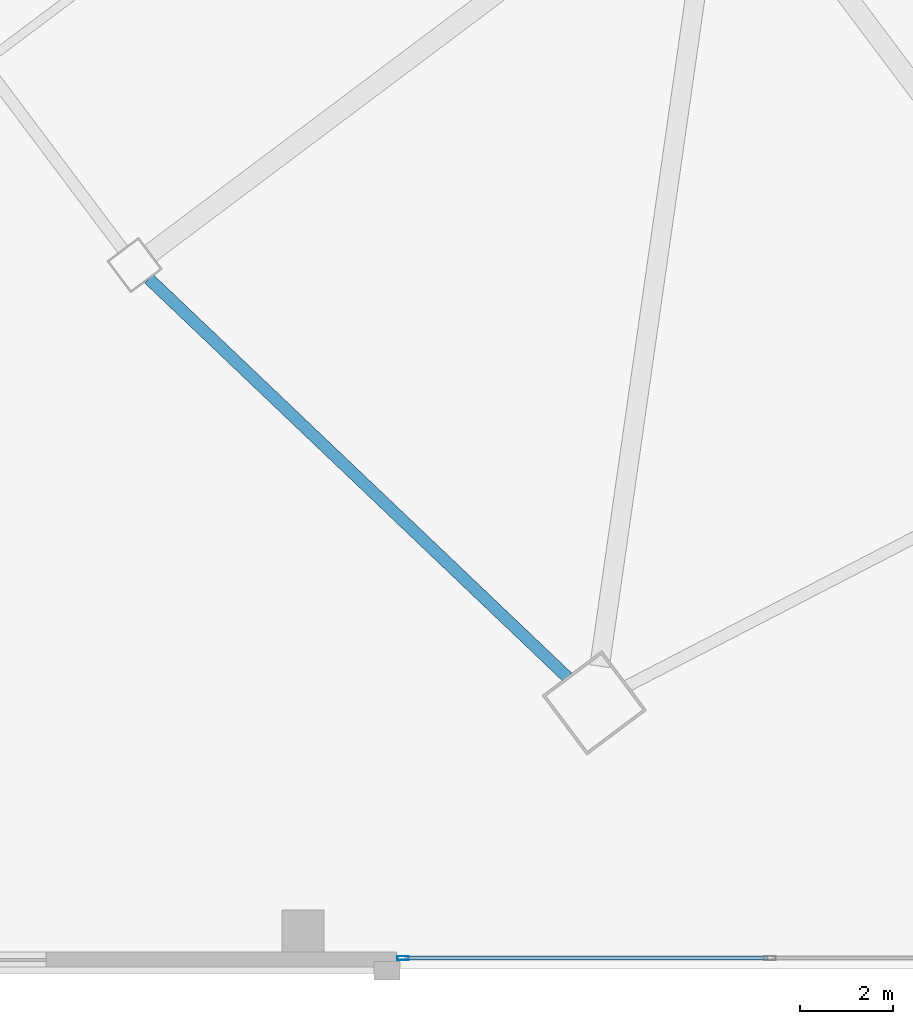
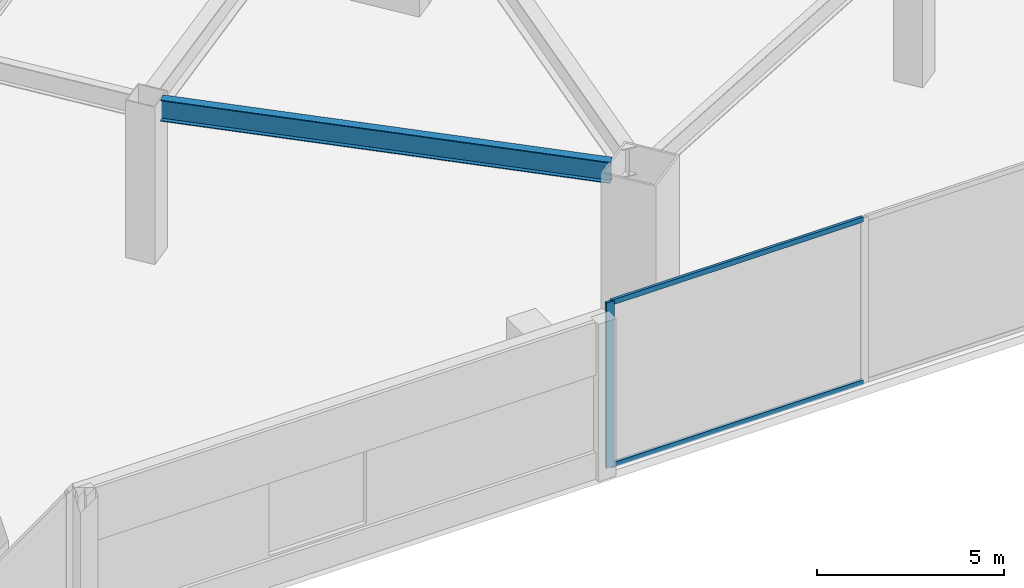
# One storey, part 18 of 48: 3 members, 1 beam, 1 element without a shape of its own.
"""IFC4 building model written with IfcOpenShell, lengths in metres."""

import ifcopenshell
import ifcopenshell.guid

model = None  # the IFC model being written
_history = None  # IfcOwnerHistory: only IFC2X3 demands one
_inside = {}  # id of a spatial element -> (the spatial element, [elements in it])
_under = {}  # id of a project, library or spatial element -> (it, [spatial elements below it])
_declared = {}  # id of a project -> (the project, [libraries it declares])
_typed = {}  # id of a type object -> (the type object, [elements of that type])
_made_of = {}  # id of a material, layer set ... -> (it, [elements and type objects made of it])


def new_model(schema):
    """Start an empty IFC model of exactly this schema.

    Asked for "IFC4X3", IfcOpenShell would pick the latest addendum, in which some entities
    have other attributes; the version numbers below select the first issue.
    IFC2X3 requires an IfcOwnerHistory on every rooted entity: one is made here for all.
    """
    global model, _history
    if schema == "IFC4X3":
        model = ifcopenshell.file(schema_version=(4, 3, 0, 0))
    else:
        model = ifcopenshell.file(schema=schema)
    _inside.clear()
    _under.clear()
    _declared.clear()
    _typed.clear()
    _made_of.clear()
    _history = None
    if model.schema == "IFC2X3":
        org = make("IfcOrganization", Name="unknown")
        user = make(
            "IfcPersonAndOrganization",
            ThePerson=make("IfcPerson", FamilyName="unknown"),
            TheOrganization=org,
        )
        app = make(
            "IfcApplication",
            ApplicationDeveloper=org,
            Version="unknown",
            ApplicationFullName="unknown",
            ApplicationIdentifier="unknown",
        )
        _history = make(
            "IfcOwnerHistory",
            OwningUser=user,
            OwningApplication=app,
            ChangeAction="ADDED",
            CreationDate=0,
        )
    return model


def make(cls, **values):
    """One entity of the class cls with the attributes given. An attribute that is None is left unset."""
    return model.create_entity(
        cls, **{name: value for name, value in values.items() if value is not None}
    )


def rooted(cls, **values):
    """An entity with a GlobalId (a new one), such as an element, a storey or a relation."""
    return make(cls, GlobalId=ifcopenshell.guid.new(), OwnerHistory=_history, **values)


def si_unit(unit_type, name, prefix=None):
    """IfcSIUnit, for example si_unit("LENGTHUNIT", "METRE", prefix="MILLI")."""
    return make("IfcSIUnit", UnitType=unit_type, Prefix=prefix, Name=name)


def assignment(units):
    """IfcUnitAssignment: the units of a project."""
    return None if units is None else make("IfcUnitAssignment", Units=units)


def point(xyz):
    """IfcCartesianPoint."""
    return None if xyz is None else make("IfcCartesianPoint", Coordinates=xyz)


def direction(xyz):
    """IfcDirection."""
    return None if xyz is None else make("IfcDirection", DirectionRatios=xyz)


def frame(location, z_axis=None, x_axis=None):
    """IfcAxis2Placement3D, a coordinate frame: its origin and axes. An axis left out is left unset."""
    return make(
        "IfcAxis2Placement3D",
        Location=point(location),
        Axis=direction(z_axis),
        RefDirection=direction(x_axis),
    )


def frame_2d(location, x_axis=None):
    """IfcAxis2Placement2D, a coordinate frame in the plane: its origin and x axis."""
    return make(
        "IfcAxis2Placement2D", Location=point(location), RefDirection=direction(x_axis)
    )


def origin():
    """The frame at (0, 0, 0) with its axes left unset."""
    return frame((0.0, 0.0, 0.0))


def origin_2d():
    """The frame at (0, 0) in the plane with its x axis left unset."""
    return frame_2d((0.0, 0.0))


def place(relative_to, where):
    """IfcLocalPlacement: puts the frame where relative to a parent placement (None: the world)."""
    return make(
        "IfcLocalPlacement", PlacementRelTo=relative_to, RelativePlacement=where
    )


def context(
    kind, dimensions, precision=None, world=None, true_north=None, identifier=None
):
    """IfcGeometricRepresentationContext, for example the 3D "Model" context."""
    return make(
        "IfcGeometricRepresentationContext",
        ContextIdentifier=identifier,
        ContextType=kind,
        CoordinateSpaceDimension=dimensions,
        Precision=precision,
        WorldCoordinateSystem=world,
        TrueNorth=true_north,
    )


def subcontext(parent, identifier, kind, view, scale=None):
    """IfcGeometricRepresentationSubContext, for example "Body" below "Model"."""
    return make(
        "IfcGeometricRepresentationSubContext",
        ContextIdentifier=identifier,
        ContextType=kind,
        ParentContext=parent,
        TargetScale=scale,
        TargetView=view,
    )


def project(units=None, contexts=None):
    """IfcProject with its units and contexts."""
    return rooted(
        "IfcProject",
        Name="project",
        RepresentationContexts=contexts,
        UnitsInContext=assignment(units),
    )


def spatial(cls, under=None, at=None, **own):
    """A site, building, storey or space (cls), placed at a placement, below another one or the project."""
    s = rooted(cls, ObjectPlacement=at, **own)
    if under is not None:
        _under.setdefault(under.id(), (under, []))[1].append(s)
    return s


def profile(cls, at=None, kind="AREA", **sizes):
    """A parametric profile (cls). Its sizes go by their IFC names, for example OverallWidth=200.0."""
    return make(cls, ProfileType=kind, Position=at, **sizes)


def hollow_rectangle(**sizes):
    """IfcRectangleHollowProfileDef."""
    return profile("IfcRectangleHollowProfileDef", **sizes)


def i_section(**sizes):
    """IfcIShapeProfileDef."""
    return profile("IfcIShapeProfileDef", **sizes)


def extrude(swept, where, along, depth):
    """IfcExtrudedAreaSolid: the profile swept, set in the frame where, extruded along a direction by depth."""
    return make(
        "IfcExtrudedAreaSolid",
        SweptArea=swept,
        Position=where,
        ExtrudedDirection=direction(along),
        Depth=depth,
    )


def shape(context_of_items, identifier, shape_type, items):
    """IfcShapeRepresentation: the items that make up one representation, for example the "Body"."""
    return make(
        "IfcShapeRepresentation",
        ContextOfItems=context_of_items,
        RepresentationIdentifier=identifier,
        RepresentationType=shape_type,
        Items=items,
    )


def material(Name=None, Category=None):
    """IfcMaterial."""
    return make("IfcMaterial", Name=Name, Category=Category)


def material_profile(
    of_material, cross_section, Name=None, Category=None, Priority=None
):
    """IfcMaterialProfile: a cross section and its material."""
    return make(
        "IfcMaterialProfile",
        Name=Name,
        Material=of_material,
        Profile=cross_section,
        Priority=Priority,
        Category=Category,
    )


def profile_set(profiles, Name=None, composite=None):
    """IfcMaterialProfileSet."""
    return make(
        "IfcMaterialProfileSet",
        Name=Name,
        MaterialProfiles=profiles,
        CompositeProfile=composite,
    )


def made_of(thing, what):
    """Note that an element or type object is made of a material, layer set ...; save() writes the relation."""
    if what is not None:
        _made_of.setdefault(what.id(), (what, []))[1].append(thing)
    return thing


def type_object(cls, material=None, **own):
    """A type object (cls), such as IfcWallType, which elements share."""
    return made_of(rooted(cls, **own), material)


def element(
    cls,
    number,
    at=None,
    inside=None,
    cuts=None,
    type_object=None,
    material=None,
    context=None,
    identifier="Body",
    shape_type=None,
    held_by="IfcProductDefinitionShape",
    body=None,
    shapes=None,
    **own,
):
    """One element of the class cls, such as IfcWall. Its Tag is "e" and its number.

    at: its placement. inside: the storey or other place that contains it. cuts: it is an
    opening in that element (IfcRelVoidsElement). A single representation is given by context,
    identifier, shape_type and body (its items); several are given by shapes. held_by: the class
    of the entity that holds the representations. save() writes the other relations.
    """
    e = rooted(cls, Tag="e%d" % number, ObjectPlacement=at, **own)
    if body is not None:
        shapes = [shape(context, identifier, shape_type, body)]
    if shapes is not None:
        e.Representation = make(held_by, Representations=shapes)
    if inside is not None:
        _inside.setdefault(inside.id(), (inside, []))[1].append(e)
    if cuts is not None:
        rooted(
            "IfcRelVoidsElement", RelatingBuildingElement=cuts, RelatedOpeningElement=e
        )
    if type_object is not None:
        _typed.setdefault(type_object.id(), (type_object, []))[1].append(e)
    return made_of(e, material)


def aggregate(whole, parts):
    """IfcRelAggregates: a whole, such as a stair, and the parts it consists of."""
    return rooted("IfcRelAggregates", RelatingObject=whole, RelatedObjects=parts)


def save(model, path):
    """Write the relations noted so far, then the file.

    IfcRelAggregates (storeys below a building ...), IfcRelContainedInSpatialStructure (elements
    in a storey), IfcRelDefinesByType, IfcRelAssociatesMaterial and IfcRelDeclares: one each for
    every whole, place, type object, material and project.
    """
    for whole, parts in _under.values():
        aggregate(whole, parts)
    for where, things in _inside.values():
        rooted(
            "IfcRelContainedInSpatialStructure",
            RelatedElements=things,
            RelatingStructure=where,
        )
    for kind, things in _typed.values():
        rooted("IfcRelDefinesByType", RelatedObjects=things, RelatingType=kind)
    for what, things in _made_of.values():
        rooted("IfcRelAssociatesMaterial", RelatedObjects=things, RelatingMaterial=what)
    for by, libraries in _declared.values():
        rooted("IfcRelDeclares", RelatingContext=by, RelatedDefinitions=libraries)
    model.write(path)


model = new_model("IFC4")

# Units and contexts
model_context = context("Model", 3, precision=1e-05, world=origin(), true_north=direction((0.0, 1.0)))
body_context = subcontext(model_context, "Body", "Model", "MODEL_VIEW")
ifc_project = project(units=[si_unit("LENGTHUNIT", "METRE"), si_unit("AREAUNIT", "SQUARE_METRE"), si_unit("VOLUMEUNIT", "CUBIC_METRE"), si_unit("PLANEANGLEUNIT", "RADIAN"), si_unit("MASSUNIT", "GRAM", prefix="KILO")], contexts=[model_context])

# Site, building, storey
site_placement = place(None, origin())
site = spatial("IfcSite", under=ifc_project, at=site_placement, CompositionType="ELEMENT")
building_placement = place(site_placement, origin())
building = spatial("IfcBuilding", under=site, at=building_placement, Name="Tashvorn Skyway Center", CompositionType="ELEMENT")
storey_placement = place(building_placement, frame((0.0, 0.0, 10.199951171875)))
storey = spatial("IfcBuildingStorey", under=building, at=storey_placement, Name="L02", CompositionType="ELEMENT", Elevation=10.199951171875)

# Beam
ifc_material_1 = material(Name="Steel ASTM A992 Grade 50", Category="steel")
ifc_material_profile_1 = material_profile(ifc_material_1, i_section(OverallWidth=0.256103515625, OverallDepth=0.693115234375, WebThickness=0.014404296875, FlangeThickness=0.023681640625, at=origin_2d()), Name="W27X114")
ifc_profile_set_1 = profile_set([ifc_material_profile_1], Name="Steel ASTM A992 Grade 50")
beam_type = type_object("IfcBeamType", Name="BM-SPANDREL-W27X114", PredefinedType="SPANDREL", material=ifc_profile_set_1)
beam_placement = place(storey_placement, frame((100.7041015625, 14.76025390625, 4.79345703125), z_axis=(0.724200339835, -0.689589637236, 0.0), x_axis=(0.689589637236, 0.724200339835, 0.0)))
element("IfcBeam", 1, at=beam_placement, inside=storey, type_object=beam_type, Name="Tower 2 L02 Spandrel Beam 12", PredefinedType="SPANDREL", context=body_context, shape_type="SweptSolid", body=[
    extrude(i_section(OverallWidth=0.256103515625, OverallDepth=0.693115234375, WebThickness=0.014404296875, FlangeThickness=0.023681640625, at=origin_2d()), origin(), (0.0, 0.0, 1.0), 12.37255859375),
])

# Curtain wall, members
ifc_material_2 = material(Name="Thermally broken bronze-anodized aluminium 6063-T6", Category="aluminium")
curtain_wall_type = type_object("IfcCurtainWallType", Name="CW-CW-Z1", PredefinedType="NOTDEFINED", material=ifc_material_2)
curtain_wall_placement = place(storey_placement, origin())
curtain_wall = element("IfcCurtainWall", 2, at=curtain_wall_placement, inside=storey, type_object=curtain_wall_type, Name="L02 South Station Arcade Curtain Wall 1", PredefinedType="NOTDEFINED")
ifc_material_profile_2 = material_profile(ifc_material_2, hollow_rectangle(XDim=0.0849609375, YDim=0.239990234375, WallThickness=0.0048828125, at=origin_2d()), Name="ALU-MULL-85x240")
ifc_profile_set_2 = profile_set([ifc_material_profile_2], Name="Thermally broken bronze-anodized aluminium 6063-T6")
member_type_1 = type_object("IfcMemberType", Name="CWM-CW-Z1", PredefinedType="MULLION", material=ifc_profile_set_2)
member_1_placement = place(storey_placement, frame((106.142578125, 0.219970703125, 0.0), z_axis=(0.0, 0.0, 1.0), x_axis=(0.0, -1.0, 0.0)))
member_1 = element("IfcMember", 3, at=member_1_placement, type_object=member_type_1, Name="CW-Z1 mullion 3", PredefinedType="MULLION", context=body_context, shape_type="SweptSolid", body=[
    extrude(hollow_rectangle(XDim=0.0849609375, YDim=0.239990234375, WallThickness=0.0048828125, at=origin_2d()), origin(), (0.0, 0.0, 1.0), 5.400146484375),
])
ifc_material_profile_3 = material_profile(ifc_material_2, hollow_rectangle(XDim=0.0849609375, YDim=0.1650390625, WallThickness=0.0048828125, at=origin_2d()), Name="ALU-TRAN-85x165")
ifc_profile_set_3 = profile_set([ifc_material_profile_3], Name="Thermally broken bronze-anodized aluminium 6063-T6")
member_type_2 = type_object("IfcMemberType", Name="CWT-CW-Z1", PredefinedType="USERDEFINED", material=ifc_profile_set_3)
member_2_placement = place(storey_placement, frame((113.95751953125, 0.219970703125, 0.04248046875), z_axis=(-1.0, 0.0, 0.0), x_axis=(0.0, -1.0, 0.0)))
member_2 = element("IfcMember", 4, at=member_2_placement, type_object=member_type_2, Name="CW-Z1 transom 2.1", ObjectType="TRANSOM", PredefinedType="USERDEFINED", context=body_context, shape_type="SweptSolid", body=[
    extrude(hollow_rectangle(XDim=0.0849609375, YDim=0.1650390625, WallThickness=0.0048828125, at=origin_2d()), origin(), (0.0, 0.0, 1.0), 7.7724609375),
])
member_3_placement = place(storey_placement, frame((113.95751953125, 0.219970703125, 5.357666015625), z_axis=(-1.0, 0.0, 0.0), x_axis=(0.0, -1.0, 0.0)))
member_3 = element("IfcMember", 5, at=member_3_placement, type_object=member_type_2, Name="CW-Z1 transom 2.2", ObjectType="TRANSOM", PredefinedType="USERDEFINED", context=body_context, shape_type="SweptSolid", body=[
    extrude(hollow_rectangle(XDim=0.0849609375, YDim=0.1650390625, WallThickness=0.0048828125, at=origin_2d()), origin(), (0.0, 0.0, 1.0), 7.7724609375),
])
aggregate(curtain_wall, [member_1, member_2, member_3])

save(model, "model.ifc")
